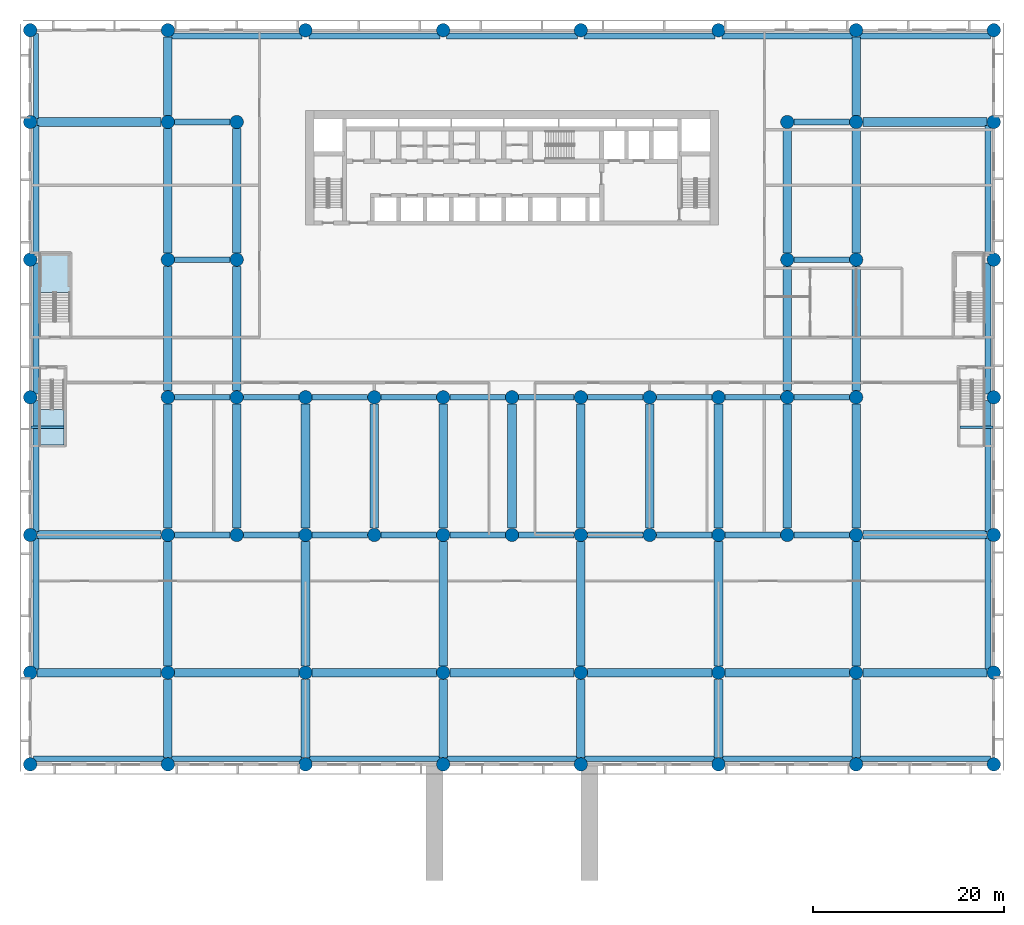
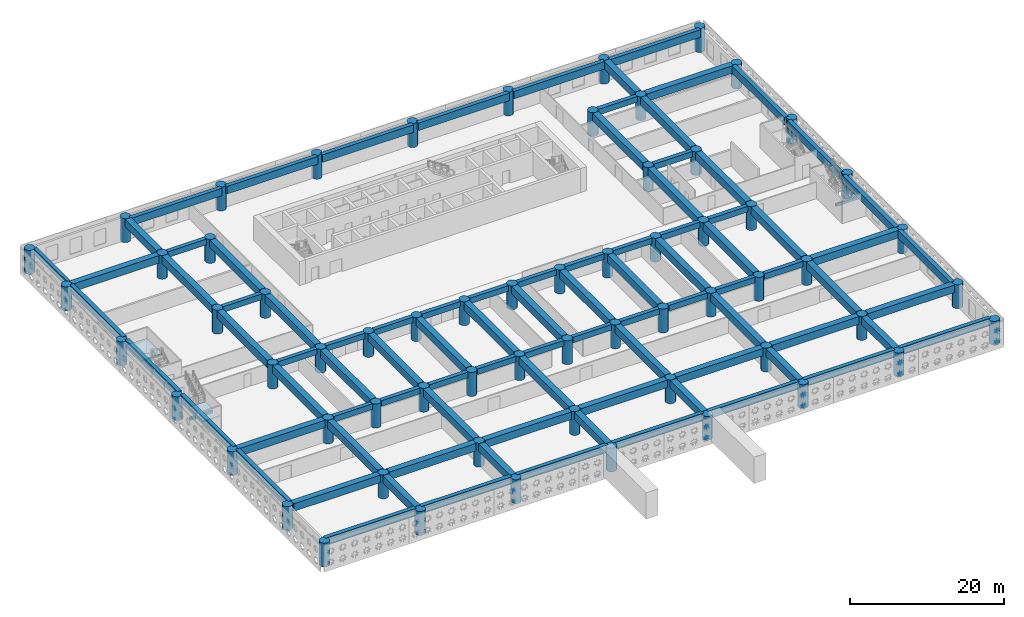
# One storey, part 1 of 23: 92 beams, 62 columns, 2 slabs, 2 elements without a shape of their own.
"""IFC4 building model written with IfcOpenShell, lengths in metres."""

from ifc_helpers import new_model, si_unit, direction, frame, origin, origin_2d, place, context, subcontext, project, spatial, polyline, rectangle, circle, outline, extrude, source, transform, mapped, material, layer, layer_set, material_profile, profile_set, type_object, element, aggregate, save


model = new_model("IFC4")

# Units and contexts
model_context = context("Model", 3, precision=1e-05, world=origin(), true_north=direction((0.0, 1.0)))
body_context = subcontext(model_context, "Body", "Model", "MODEL_VIEW")
ifc_project = project(units=[si_unit("LENGTHUNIT", "METRE"), si_unit("AREAUNIT", "SQUARE_METRE"), si_unit("VOLUMEUNIT", "CUBIC_METRE"), si_unit("PLANEANGLEUNIT", "RADIAN"), si_unit("MASSUNIT", "GRAM", prefix="KILO")], contexts=[model_context])

# Site, building, storey
site_placement = place(None, origin())
site = spatial("IfcSite", under=ifc_project, at=site_placement, CompositionType="ELEMENT")
building_placement = place(site_placement, origin())
building = spatial("IfcBuilding", under=site, at=building_placement, Name="Saffron Iwan Residences", CompositionType="ELEMENT")
storey_placement = place(building_placement, frame((0.0, 0.0, 17.39990234375)))
storey = spatial("IfcBuildingStorey", under=building, at=storey_placement, Name="L03", CompositionType="ELEMENT", Elevation=17.39990234375)

# Columns
ifc_material_1 = material(Name="Concrete C50/60", Category="concrete")
ifc_material_profile_1 = material_profile(ifc_material_1, circle(Radius=0.699951171875, at=origin_2d()), Name="RC D1400")
ifc_profile_set_1 = profile_set([ifc_material_profile_1], Name="Concrete C50/60")
column_type = type_object("IfcColumnType", Name="COL RC D1400 C50/60 3800 HIGH", PredefinedType="COLUMN", material=ifc_profile_set_1)
shared_shape_1 = source(origin(), body_context, "Body", "SweptSolid", [
    extrude(circle(Radius=0.699951171875, at=origin_2d()), origin(), (0.0, 0.0, 1.0), 3.800048828125),
])
for number, where, z_axis, x_axis, name in (
    (1, (0.0, 9.60009765625, 0.0), (0.0, 0.0, 1.0), (1.0, 0.0, 0.0), "Column C009"),
    (2, (14.39990234375, 9.60009765625, 0.0), (0.0, 0.0, 1.0), (1.0, 0.0, 0.0), "Column C010"),
    (3, (28.800048828125, 9.60009765625, 0.0), (0.0, 0.0, 1.0), (1.0, 0.0, 0.0), "Column C011"),
    (4, (43.199951171875, 9.60009765625, 0.0), (0.0, 0.0, 1.0), (1.0, 0.0, 0.0), "Column C012"),
    (5, (57.60009765625, 9.60009765625, 0.0), (0.0, 0.0, 1.0), (1.0, 0.0, 0.0), "Column C013"),
    (6, (72.0, 9.60009765625, 0.0), (0.0, 0.0, 1.0), (1.0, 0.0, 0.0), "Column C014"),
    (7, (86.39990234375, 9.60009765625, 0.0), (0.0, 0.0, 1.0), (1.0, 0.0, 0.0), "Column C015"),
    (8, (100.800048828125, 9.60009765625, 0.0), (0.0, 0.0, 1.0), (1.0, 0.0, 0.0), "Column C016"),
    (9, (0.0, 19.199951171875, 0.0), (0.0, 0.0, 1.0), (1.0, 0.0, 0.0), "Column C017"),
    (10, (14.39990234375, 19.199951171875, 0.0), (0.0, 0.0, 1.0), (1.0, 0.0, 0.0), "Column C018"),
    (11, (28.800048828125, 19.199951171875, 0.0), (0.0, 0.0, 1.0), (1.0, 0.0, 0.0), "Column C019"),
    (12, (43.199951171875, 19.199951171875, 0.0), (0.0, 0.0, 1.0), (1.0, 0.0, 0.0), "Column C020"),
    (13, (57.60009765625, 19.199951171875, 0.0), (0.0, 0.0, 1.0), (1.0, 0.0, 0.0), "Column C021"),
    (14, (72.0, 19.199951171875, 0.0), (0.0, 0.0, 1.0), (1.0, 0.0, 0.0), "Column C022"),
    (15, (86.39990234375, 19.199951171875, 0.0), (0.0, 0.0, 1.0), (1.0, 0.0, 0.0), "Column C023"),
    (16, (100.800048828125, 19.199951171875, 0.0), (0.0, 0.0, 1.0), (1.0, 0.0, 0.0), "Column C024"),
    (17, (0.0, 33.60009765625, 0.0), (0.0, 0.0, 1.0), (1.0, 0.0, 0.0), "Column C025"),
    (18, (14.39990234375, 33.60009765625, 0.0), (0.0, 0.0, 1.0), (1.0, 0.0, 0.0), "Column C026"),
    (19, (21.60009765625, 33.60009765625, 0.0), (0.0, 0.0, 1.0), (1.0, 0.0, 0.0), "Column C027"),
    (20, (28.800048828125, 33.60009765625, 0.0), (0.0, 0.0, 1.0), (1.0, 0.0, 0.0), "Column C028"),
    (21, (36.0, 33.60009765625, 0.0), (0.0, 0.0, 1.0), (1.0, 0.0, 0.0), "Column C029"),
    (22, (43.199951171875, 33.60009765625, 0.0), (0.0, 0.0, 1.0), (1.0, 0.0, 0.0), "Column C030"),
    (23, (50.39990234375, 33.60009765625, 0.0), (0.0, 0.0, 1.0), (1.0, 0.0, 0.0), "Column C031"),
    (24, (57.60009765625, 33.60009765625, 0.0), (0.0, 0.0, 1.0), (1.0, 0.0, 0.0), "Column C032"),
    (25, (64.800048828125, 33.60009765625, 0.0), (0.0, 0.0, 1.0), (1.0, 0.0, 0.0), "Column C033"),
    (26, (72.0, 33.60009765625, 0.0), (0.0, 0.0, 1.0), (1.0, 0.0, 0.0), "Column C034"),
    (27, (79.199951171875, 33.60009765625, 0.0), (0.0, 0.0, 1.0), (1.0, 0.0, 0.0), "Column C035"),
    (28, (86.39990234375, 33.60009765625, 0.0), (0.0, 0.0, 1.0), (1.0, 0.0, 0.0), "Column C036"),
    (29, (100.800048828125, 33.60009765625, 0.0), (0.0, 0.0, 1.0), (1.0, 0.0, 0.0), "Column C037"),
    (30, (0.0, 48.0, 0.0), (0.0, 0.0, 1.0), (1.0, 0.0, 0.0), "Column C059"),
    (31, (14.39990234375, 48.0, 0.0), (0.0, 0.0, 1.0), (1.0, 0.0, 0.0), "Column C060"),
    (32, (21.60009765625, 48.0, 0.0), (0.0, 0.0, 1.0), (1.0, 0.0, 0.0), "Column C063"),
    (33, (28.800048828125, 48.0, 0.0), (0.0, 0.0, 1.0), (1.0, 0.0, 0.0), "Column C064"),
    (34, (36.0, 48.0, 0.0), (0.0, 0.0, 1.0), (1.0, 0.0, 0.0), "Column C065"),
    (35, (43.199951171875, 48.0, 0.0), (0.0, 0.0, 1.0), (1.0, 0.0, 0.0), "Column C066"),
    (36, (50.39990234375, 48.0, 0.0), (0.0, 0.0, 1.0), (1.0, 0.0, 0.0), "Column C067"),
    (37, (57.60009765625, 48.0, 0.0), (0.0, 0.0, 1.0), (1.0, 0.0, 0.0), "Column C068"),
    (38, (64.800048828125, 48.0, 0.0), (0.0, 0.0, 1.0), (1.0, 0.0, 0.0), "Column C069"),
    (39, (72.0, 48.0, 0.0), (0.0, 0.0, 1.0), (1.0, 0.0, 0.0), "Column C071"),
    (40, (79.199951171875, 48.0, 0.0), (0.0, 0.0, 1.0), (1.0, 0.0, 0.0), "Column C072"),
    (41, (86.39990234375, 48.0, 0.0), (0.0, 0.0, 1.0), (1.0, 0.0, 0.0), "Column C075"),
    (42, (100.800048828125, 48.0, 0.0), (0.0, 0.0, 1.0), (1.0, 0.0, 0.0), "Column C076"),
    (43, (0.0, 62.39990234375, 0.0), (0.0, 0.0, 1.0), (1.0, 0.0, 0.0), "Column C087"),
    (44, (14.39990234375, 62.39990234375, 0.0), (0.0, 0.0, 1.0), (1.0, 0.0, 0.0), "Column C088"),
    (45, (21.60009765625, 62.39990234375, 0.0), (0.0, 0.0, 1.0), (1.0, 0.0, 0.0), "Column C091"),
    (46, (79.199951171875, 62.39990234375, 0.0), (0.0, 0.0, 1.0), (1.0, 0.0, 0.0), "Column C092"),
    (47, (86.39990234375, 62.39990234375, 0.0), (0.0, 0.0, 1.0), (1.0, 0.0, 0.0), "Column C095"),
    (48, (100.800048828125, 62.39990234375, 0.0), (0.0, 0.0, 1.0), (1.0, 0.0, 0.0), "Column C096"),
    (49, (0.0, 76.800048828125, 0.0), (0.0, 0.0, 1.0), (1.0, 0.0, 0.0), "Column C103"),
    (50, (14.39990234375, 76.800048828125, 0.0), (0.0, 0.0, 1.0), (1.0, 0.0, 0.0), "Column C104"),
    (51, (21.60009765625, 76.800048828125, 0.0), (0.0, 0.0, 1.0), (1.0, 0.0, 0.0), "Column C107"),
    (52, (79.199951171875, 76.800048828125, 0.0), (0.0, 0.0, 1.0), (1.0, 0.0, 0.0), "Column C108"),
    (53, (86.39990234375, 76.800048828125, 0.0), (0.0, 0.0, 1.0), (1.0, 0.0, 0.0), "Column C111"),
    (54, (100.800048828125, 76.800048828125, 0.0), (0.0, 0.0, 1.0), (1.0, 0.0, 0.0), "Column C112"),
    (55, (0.0, 86.39990234375, 0.0), (0.0, 0.0, 1.0), (1.0, 0.0, 0.0), "Column C124"),
    (56, (14.39990234375, 86.39990234375, 0.0), (0.0, 0.0, 1.0), (1.0, 0.0, 0.0), "Column C125"),
    (57, (28.800048828125, 86.39990234375, 0.0), (0.0, 0.0, 1.0), (1.0, 0.0, 0.0), "Column C126"),
    (58, (43.199951171875, 86.39990234375, 0.0), (0.0, 0.0, 1.0), (1.0, 0.0, 0.0), "Column C127"),
    (59, (57.60009765625, 86.39990234375, 0.0), (0.0, 0.0, 1.0), (1.0, 0.0, 0.0), "Column C128"),
    (60, (72.0, 86.39990234375, 0.0), (0.0, 0.0, 1.0), (1.0, 0.0, 0.0), "Column C129"),
    (61, (86.39990234375, 86.39990234375, 0.0), (0.0, 0.0, 1.0), (1.0, 0.0, 0.0), "Column C130"),
    (62, (100.800048828125, 86.39990234375, 0.0), (0.0, 0.0, 1.0), (1.0, 0.0, 0.0), "Column C131"),
):
    element("IfcColumn", number, at=place(storey_placement, frame(where, z_axis=z_axis, x_axis=x_axis)), inside=storey, type_object=column_type, Name=name, PredefinedType="COLUMN", context=body_context, shape_type="MappedRepresentation", body=[
        mapped(shared_shape_1, transform((0.0, 0.0, 0.0))),
    ])

# Beams
ifc_material_profile_2 = material_profile(ifc_material_1, rectangle(XDim=0.5, YDim=0.89990234375, at=origin_2d()), Name="RC 500x900")
ifc_profile_set_2 = profile_set([ifc_material_profile_2], Name="Concrete C50/60")
beam_type_1 = type_object("IfcBeamType", Name="SPANDREL BEAM RC 500x900 C50/60 TOP 3800", PredefinedType="SPANDREL", material=ifc_profile_set_2)
shared_shape_2 = source(origin(), body_context, "Body", "SweptSolid", [
    extrude(rectangle(XDim=0.5, YDim=0.89990234375, at=origin_2d()), origin(), (0.0, 0.0, 1.0), 8.889404296875),
])
beam_placement = place(storey_placement, frame((0.60009765625, 77.1552734375, 3.35009765625), z_axis=(0.0, 1.0, 0.0), x_axis=(-1.0, 0.0, 0.0)))
element("IfcBeam", 63, at=beam_placement, inside=storey, type_object=beam_type_1, Name="Spandrel beam", PredefinedType="SPANDREL", context=body_context, shape_type="MappedRepresentation", body=[
    mapped(shared_shape_2, transform((0.0, 0.0, 0.0))),
])
ifc_material_profile_3 = material_profile(ifc_material_1, rectangle(XDim=0.60009765625, YDim=1.199951171875, at=origin_2d()), Name="RC 600x1200")
ifc_profile_set_3 = profile_set([ifc_material_profile_3], Name="Concrete C50/60")
beam_type_2 = type_object("IfcBeamType", Name="LINTEL BEAM RC 600x1200 C50/60 TOP 3800", PredefinedType="LINTEL", material=ifc_profile_set_3)
shared_shape_3 = source(origin(), body_context, "Body", "SweptSolid", [
    extrude(rectangle(XDim=0.60009765625, YDim=1.199951171875, at=origin_2d()), origin(), (0.0, 0.0, 1.0), 13.689453125),
])
for number, where, z_axis, x_axis, name in (
    (64, (14.044677734375, 10.199951171875, 3.2001953125), (-1.0, 0.0, 0.0), (0.0, -1.0, 0.0), "Lintel beam over the iwan"),
    (65, (42.8447265625, 10.199951171875, 3.2001953125), (-1.0, 0.0, 0.0), (0.0, -1.0, 0.0), "Lintel beam over the iwan"),
    (66, (71.644775390625, 10.199951171875, 3.2001953125), (-1.0, 0.0, 0.0), (0.0, -1.0, 0.0), "Lintel beam over the iwan"),
    (67, (86.044677734375, 10.199951171875, 3.2001953125), (-1.0, 0.0, 0.0), (0.0, -1.0, 0.0), "Lintel beam over the iwan"),
    (68, (0.60009765625, 33.955322265625, 3.2001953125), (0.0, 1.0, 0.0), (-1.0, 0.0, 0.0), "Lintel beam over the iwan"),
    (69, (100.199951171875, 47.644775390625, 3.2001953125), (0.0, -1.0, 0.0), (1.0, 0.0, 0.0), "Lintel beam over the iwan"),
    (70, (0.60009765625, 48.355224609375, 3.2001953125), (0.0, 1.0, 0.0), (-1.0, 0.0, 0.0), "Lintel beam over the iwan"),
    (71, (100.199951171875, 62.044677734375, 3.2001953125), (0.0, -1.0, 0.0), (1.0, 0.0, 0.0), "Lintel beam over the iwan"),
    (72, (29.1552734375, 85.800048828125, 3.2001953125), (1.0, 0.0, 0.0), (0.0, 1.0, 0.0), "Lintel beam over the iwan"),
    (73, (57.955322265625, 85.800048828125, 3.2001953125), (1.0, 0.0, 0.0), (0.0, 1.0, 0.0), "Lintel beam over the iwan"),
    (74, (72.355224609375, 85.800048828125, 3.2001953125), (1.0, 0.0, 0.0), (0.0, 1.0, 0.0), "Lintel beam over the iwan"),
):
    element("IfcBeam", number, at=place(storey_placement, frame(where, z_axis=z_axis, x_axis=x_axis)), inside=storey, type_object=beam_type_2, Name=name, PredefinedType="LINTEL", context=body_context, shape_type="MappedRepresentation", body=[
        mapped(shared_shape_3, transform((0.0, 0.0, 0.0))),
    ])
shared_shape_4 = source(origin(), body_context, "Body", "SweptSolid", [
    extrude(rectangle(XDim=0.60009765625, YDim=1.199951171875, at=origin_2d()), origin(), (0.0, 0.0, 1.0), 13.689208984375),
])
for number, where, z_axis, x_axis, name in (
    (75, (28.444580078125, 10.199951171875, 3.2001953125), (-1.0, 0.0, 0.0), (0.0, -1.0, 0.0), "Lintel beam over the iwan"),
    (76, (57.24462890625, 10.199951171875, 3.2001953125), (-1.0, 0.0, 0.0), (0.0, -1.0, 0.0), "Lintel beam over the iwan"),
    (77, (100.444580078125, 10.199951171875, 3.2001953125), (-1.0, 0.0, 0.0), (0.0, -1.0, 0.0), "Lintel beam over the iwan"),
    (78, (0.60009765625, 19.555419921875, 3.2001953125), (0.0, 1.0, 0.0), (-1.0, 0.0, 0.0), "Lintel beam over the iwan"),
    (79, (100.199951171875, 33.24462890625, 3.2001953125), (0.0, -1.0, 0.0), (1.0, 0.0, 0.0), "Lintel beam over the iwan"),
    (80, (0.60009765625, 62.75537109375, 3.2001953125), (0.0, 1.0, 0.0), (-1.0, 0.0, 0.0), "Lintel beam over the iwan"),
    (81, (100.199951171875, 76.444580078125, 3.2001953125), (0.0, -1.0, 0.0), (1.0, 0.0, 0.0), "Lintel beam over the iwan"),
    (82, (14.75537109375, 85.800048828125, 3.2001953125), (1.0, 0.0, 0.0), (0.0, 1.0, 0.0), "Lintel beam over the iwan"),
    (83, (43.555419921875, 85.800048828125, 3.2001953125), (1.0, 0.0, 0.0), (0.0, 1.0, 0.0), "Lintel beam over the iwan"),
    (84, (86.75537109375, 85.800048828125, 3.2001953125), (1.0, 0.0, 0.0), (0.0, 1.0, 0.0), "Lintel beam over the iwan"),
):
    element("IfcBeam", number, at=place(storey_placement, frame(where, z_axis=z_axis, x_axis=x_axis)), inside=storey, type_object=beam_type_2, Name=name, PredefinedType="LINTEL", context=body_context, shape_type="MappedRepresentation", body=[
        mapped(shared_shape_4, transform((0.0, 0.0, 0.0))),
    ])
ifc_material_profile_4 = material_profile(ifc_material_1, rectangle(XDim=0.89990234375, YDim=1.199951171875, at=origin_2d()), Name="RC 900x1200")
ifc_profile_set_4 = profile_set([ifc_material_profile_4], Name="Concrete C50/60")
beam_type_3 = type_object("IfcBeamType", Name="BEAM RC 900x1200 C50/60 TOP 3800", PredefinedType="BEAM", material=ifc_profile_set_4)
shared_shape_5 = source(origin(), body_context, "Body", "SweptSolid", [
    extrude(rectangle(XDim=0.89990234375, YDim=1.199951171875, at=origin_2d()), origin(), (0.0, 0.0, 1.0), 8.199951171875),
])
for number, where, z_axis, x_axis, name in (
    (85, (14.39990234375, 10.300048828125, 3.2001953125), (0.0, 1.0, 0.0), (-1.0, 0.0, 0.0), "Floor beam"),
    (86, (28.800048828125, 10.300048828125, 3.2001953125), (0.0, 1.0, 0.0), (-1.0, 0.0, 0.0), "Floor beam"),
    (87, (43.199951171875, 10.300048828125, 3.2001953125), (0.0, 1.0, 0.0), (-1.0, 0.0, 0.0), "Floor beam"),
    (88, (57.60009765625, 10.300048828125, 3.2001953125), (0.0, 1.0, 0.0), (-1.0, 0.0, 0.0), "Floor beam"),
    (89, (72.0, 10.300048828125, 3.2001953125), (0.0, 1.0, 0.0), (-1.0, 0.0, 0.0), "Floor beam"),
    (90, (86.39990234375, 10.300048828125, 3.2001953125), (0.0, 1.0, 0.0), (-1.0, 0.0, 0.0), "Floor beam"),
    (91, (14.39990234375, 77.5, 3.2001953125), (0.0, 1.0, 0.0), (-1.0, 0.0, 0.0), "Floor beam"),
    (92, (86.39990234375, 77.5, 3.2001953125), (0.0, 1.0, 0.0), (-1.0, 0.0, 0.0), "Floor beam"),
):
    element("IfcBeam", number, at=place(storey_placement, frame(where, z_axis=z_axis, x_axis=x_axis)), inside=storey, type_object=beam_type_3, Name=name, PredefinedType="BEAM", context=body_context, shape_type="MappedRepresentation", body=[
        mapped(shared_shape_5, transform((0.0, 0.0, 0.0))),
    ])
shared_shape_6 = source(origin(), body_context, "Body", "SweptSolid", [
    extrude(rectangle(XDim=0.89990234375, YDim=1.199951171875, at=origin_2d()), origin(), (0.0, 0.0, 1.0), 13.0),
])
for number, where, z_axis, x_axis, name in (
    (93, (0.699951171875, 19.199951171875, 3.2001953125), (1.0, 0.0, 0.0), (0.0, 1.0, 0.0), "Floor beam"),
    (94, (15.10009765625, 19.199951171875, 3.2001953125), (1.0, 0.0, 0.0), (0.0, 1.0, 0.0), "Floor beam"),
    (95, (29.5, 19.199951171875, 3.2001953125), (1.0, 0.0, 0.0), (0.0, 1.0, 0.0), "Floor beam"),
    (96, (43.89990234375, 19.199951171875, 3.2001953125), (1.0, 0.0, 0.0), (0.0, 1.0, 0.0), "Floor beam"),
    (97, (58.300048828125, 19.199951171875, 3.2001953125), (1.0, 0.0, 0.0), (0.0, 1.0, 0.0), "Floor beam"),
    (98, (72.699951171875, 19.199951171875, 3.2001953125), (1.0, 0.0, 0.0), (0.0, 1.0, 0.0), "Floor beam"),
    (99, (87.10009765625, 19.199951171875, 3.2001953125), (1.0, 0.0, 0.0), (0.0, 1.0, 0.0), "Floor beam"),
    (100, (14.39990234375, 19.89990234375, 3.2001953125), (0.0, 1.0, 0.0), (-1.0, 0.0, 0.0), "Floor beam"),
    (101, (28.800048828125, 19.89990234375, 3.2001953125), (0.0, 1.0, 0.0), (-1.0, 0.0, 0.0), "Floor beam"),
    (102, (43.199951171875, 19.89990234375, 3.2001953125), (0.0, 1.0, 0.0), (-1.0, 0.0, 0.0), "Floor beam"),
    (103, (57.60009765625, 19.89990234375, 3.2001953125), (0.0, 1.0, 0.0), (-1.0, 0.0, 0.0), "Floor beam"),
    (104, (72.0, 19.89990234375, 3.2001953125), (0.0, 1.0, 0.0), (-1.0, 0.0, 0.0), "Floor beam"),
    (105, (86.39990234375, 19.89990234375, 3.2001953125), (0.0, 1.0, 0.0), (-1.0, 0.0, 0.0), "Floor beam"),
    (106, (0.699951171875, 33.60009765625, 3.2001953125), (1.0, 0.0, 0.0), (0.0, 1.0, 0.0), "Floor beam"),
    (107, (87.10009765625, 33.60009765625, 3.2001953125), (1.0, 0.0, 0.0), (0.0, 1.0, 0.0), "Floor beam"),
    (108, (14.39990234375, 34.300048828125, 3.2001953125), (0.0, 1.0, 0.0), (-1.0, 0.0, 0.0), "Floor beam"),
    (109, (21.60009765625, 34.300048828125, 3.2001953125), (0.0, 1.0, 0.0), (-1.0, 0.0, 0.0), "Floor beam"),
    (110, (28.800048828125, 34.300048828125, 3.2001953125), (0.0, 1.0, 0.0), (-1.0, 0.0, 0.0), "Floor beam"),
    (111, (36.0, 34.300048828125, 3.2001953125), (0.0, 1.0, 0.0), (-1.0, 0.0, 0.0), "Floor beam"),
    (112, (43.199951171875, 34.300048828125, 3.2001953125), (0.0, 1.0, 0.0), (-1.0, 0.0, 0.0), "Floor beam"),
    (113, (50.39990234375, 34.300048828125, 3.2001953125), (0.0, 1.0, 0.0), (-1.0, 0.0, 0.0), "Floor beam"),
    (114, (57.60009765625, 34.300048828125, 3.2001953125), (0.0, 1.0, 0.0), (-1.0, 0.0, 0.0), "Floor beam"),
    (115, (64.800048828125, 34.300048828125, 3.2001953125), (0.0, 1.0, 0.0), (-1.0, 0.0, 0.0), "Floor beam"),
    (116, (72.0, 34.300048828125, 3.2001953125), (0.0, 1.0, 0.0), (-1.0, 0.0, 0.0), "Floor beam"),
    (117, (79.199951171875, 34.300048828125, 3.2001953125), (0.0, 1.0, 0.0), (-1.0, 0.0, 0.0), "Floor beam"),
    (118, (86.39990234375, 34.300048828125, 3.2001953125), (0.0, 1.0, 0.0), (-1.0, 0.0, 0.0), "Floor beam"),
    (119, (14.39990234375, 48.699951171875, 3.2001953125), (0.0, 1.0, 0.0), (-1.0, 0.0, 0.0), "Floor beam"),
    (120, (21.60009765625, 48.699951171875, 3.2001953125), (0.0, 1.0, 0.0), (-1.0, 0.0, 0.0), "Floor beam"),
    (121, (79.199951171875, 48.699951171875, 3.2001953125), (0.0, 1.0, 0.0), (-1.0, 0.0, 0.0), "Floor beam"),
    (122, (86.39990234375, 48.699951171875, 3.2001953125), (0.0, 1.0, 0.0), (-1.0, 0.0, 0.0), "Floor beam"),
    (123, (14.39990234375, 63.10009765625, 3.2001953125), (0.0, 1.0, 0.0), (-1.0, 0.0, 0.0), "Floor beam"),
    (124, (21.60009765625, 63.10009765625, 3.2001953125), (0.0, 1.0, 0.0), (-1.0, 0.0, 0.0), "Floor beam"),
    (125, (79.199951171875, 63.10009765625, 3.2001953125), (0.0, 1.0, 0.0), (-1.0, 0.0, 0.0), "Floor beam"),
    (126, (86.39990234375, 63.10009765625, 3.2001953125), (0.0, 1.0, 0.0), (-1.0, 0.0, 0.0), "Floor beam"),
    (127, (0.699951171875, 76.800048828125, 3.2001953125), (1.0, 0.0, 0.0), (0.0, 1.0, 0.0), "Floor beam"),
    (128, (87.10009765625, 76.800048828125, 3.2001953125), (1.0, 0.0, 0.0), (0.0, 1.0, 0.0), "Floor beam"),
):
    element("IfcBeam", number, at=place(storey_placement, frame(where, z_axis=z_axis, x_axis=x_axis)), inside=storey, type_object=beam_type_3, Name=name, PredefinedType="BEAM", context=body_context, shape_type="MappedRepresentation", body=[
        mapped(shared_shape_6, transform((0.0, 0.0, 0.0))),
    ])
ifc_material_profile_5 = material_profile(ifc_material_1, rectangle(XDim=0.60009765625, YDim=0.89990234375, at=origin_2d()), Name="RC 600x900")
ifc_profile_set_5 = profile_set([ifc_material_profile_5], Name="Concrete C50/60")
beam_type_4 = type_object("IfcBeamType", Name="BEAM RC 600x900 C50/60 TOP 3800", PredefinedType="BEAM", material=ifc_profile_set_5)
shared_shape_7 = source(origin(), body_context, "Body", "SweptSolid", [
    extrude(rectangle(XDim=0.60009765625, YDim=0.89990234375, at=origin_2d()), origin(), (0.0, 0.0, 1.0), 5.7998046875),
])
for number, where, z_axis, x_axis, name in (
    (129, (15.10009765625, 33.60009765625, 3.35009765625), (1.0, 0.0, 0.0), (0.0, 1.0, 0.0), "Floor beam"),
    (130, (51.10009765625, 33.60009765625, 3.35009765625), (1.0, 0.0, 0.0), (0.0, 1.0, 0.0), "Floor beam"),
    (131, (15.10009765625, 48.0, 3.35009765625), (1.0, 0.0, 0.0), (0.0, 1.0, 0.0), "Floor beam"),
    (132, (51.10009765625, 48.0, 3.35009765625), (1.0, 0.0, 0.0), (0.0, 1.0, 0.0), "Floor beam"),
    (133, (15.10009765625, 62.39990234375, 3.35009765625), (1.0, 0.0, 0.0), (0.0, 1.0, 0.0), "Floor beam"),
    (134, (15.10009765625, 76.800048828125, 3.35009765625), (1.0, 0.0, 0.0), (0.0, 1.0, 0.0), "Floor beam"),
):
    element("IfcBeam", number, at=place(storey_placement, frame(where, z_axis=z_axis, x_axis=x_axis)), inside=storey, type_object=beam_type_4, Name=name, PredefinedType="BEAM", context=body_context, shape_type="MappedRepresentation", body=[
        mapped(shared_shape_7, transform((0.0, 0.0, 0.0))),
    ])
shared_shape_8 = source(origin(), body_context, "Body", "SweptSolid", [
    extrude(rectangle(XDim=0.60009765625, YDim=0.89990234375, at=origin_2d()), origin(), (0.0, 0.0, 1.0), 5.800048828125),
])
for number, where, z_axis, x_axis, name in (
    (135, (22.300048828125, 33.60009765625, 3.35009765625), (1.0, 0.0, 0.0), (0.0, 1.0, 0.0), "Floor beam"),
    (136, (29.5, 33.60009765625, 3.35009765625), (1.0, 0.0, 0.0), (0.0, 1.0, 0.0), "Floor beam"),
    (137, (36.699951171875, 33.60009765625, 3.35009765625), (1.0, 0.0, 0.0), (0.0, 1.0, 0.0), "Floor beam"),
    (138, (43.89990234375, 33.60009765625, 3.35009765625), (1.0, 0.0, 0.0), (0.0, 1.0, 0.0), "Floor beam"),
    (139, (58.300048828125, 33.60009765625, 3.35009765625), (1.0, 0.0, 0.0), (0.0, 1.0, 0.0), "Floor beam"),
    (140, (65.5, 33.60009765625, 3.35009765625), (1.0, 0.0, 0.0), (0.0, 1.0, 0.0), "Floor beam"),
    (141, (72.699951171875, 33.60009765625, 3.35009765625), (1.0, 0.0, 0.0), (0.0, 1.0, 0.0), "Floor beam"),
    (142, (79.89990234375, 33.60009765625, 3.35009765625), (1.0, 0.0, 0.0), (0.0, 1.0, 0.0), "Floor beam"),
    (143, (22.300048828125, 48.0, 3.35009765625), (1.0, 0.0, 0.0), (0.0, 1.0, 0.0), "Floor beam"),
    (144, (29.5, 48.0, 3.35009765625), (1.0, 0.0, 0.0), (0.0, 1.0, 0.0), "Floor beam"),
    (145, (36.699951171875, 48.0, 3.35009765625), (1.0, 0.0, 0.0), (0.0, 1.0, 0.0), "Floor beam"),
    (146, (43.89990234375, 48.0, 3.35009765625), (1.0, 0.0, 0.0), (0.0, 1.0, 0.0), "Floor beam"),
    (147, (58.300048828125, 48.0, 3.35009765625), (1.0, 0.0, 0.0), (0.0, 1.0, 0.0), "Floor beam"),
    (148, (65.5, 48.0, 3.35009765625), (1.0, 0.0, 0.0), (0.0, 1.0, 0.0), "Floor beam"),
    (149, (72.699951171875, 48.0, 3.35009765625), (1.0, 0.0, 0.0), (0.0, 1.0, 0.0), "Floor beam"),
    (150, (79.89990234375, 48.0, 3.35009765625), (1.0, 0.0, 0.0), (0.0, 1.0, 0.0), "Floor beam"),
    (151, (79.89990234375, 62.39990234375, 3.35009765625), (1.0, 0.0, 0.0), (0.0, 1.0, 0.0), "Floor beam"),
    (152, (79.89990234375, 76.800048828125, 3.35009765625), (1.0, 0.0, 0.0), (0.0, 1.0, 0.0), "Floor beam"),
):
    element("IfcBeam", number, at=place(storey_placement, frame(where, z_axis=z_axis, x_axis=x_axis)), inside=storey, type_object=beam_type_4, Name=name, PredefinedType="BEAM", context=body_context, shape_type="MappedRepresentation", body=[
        mapped(shared_shape_8, transform((0.0, 0.0, 0.0))),
    ])
ifc_material_2 = material(Name="Concrete C40/50", Category="concrete")
ifc_material_profile_6 = material_profile(ifc_material_2, rectangle(XDim=0.300048828125, YDim=0.39990234375, at=origin_2d()), Name="Landing beam RC 300x400 C40/50")
ifc_profile_set_6 = profile_set([ifc_material_profile_6], Name="Concrete C40/50")
beam_type_5 = type_object("IfcBeamType", Name="Landing beam RC 300x400 C40/50", PredefinedType="BEAM", material=ifc_profile_set_6)
shared_shape_9 = source(origin(), body_context, "Body", "SweptSolid", [
    extrude(rectangle(XDim=0.300048828125, YDim=0.39990234375, at=origin_2d()), origin(), (0.0, 0.0, 1.0), 3.449951171875),
])
for number, where, z_axis, x_axis, name in (
    (153, (0.10009765625, 44.860107421875, 1.7001953125), (1.0, 0.0, 0.0), (0.0, 1.0, 0.0), "PS1 landing beam"),
    (154, (97.25, 44.860107421875, 1.7001953125), (1.0, 0.0, 0.0), (0.0, 1.0, 0.0), "PS2 landing beam"),
):
    element("IfcBeam", number, at=place(storey_placement, frame(where, z_axis=z_axis, x_axis=x_axis)), inside=storey, type_object=beam_type_5, Name=name, PredefinedType="BEAM", context=body_context, shape_type="MappedRepresentation", body=[
        mapped(shared_shape_9, transform((0.0, 0.0, 0.0))),
    ])

# Stair, slab
stair_type = type_object("IfcStairType", Name="Podium stair, reinforced concrete", PredefinedType="HALF_TURN_STAIR", material=ifc_material_2)
stair_1_placement = place(storey_placement, origin())
stair_1 = element("IfcStair", 155, at=stair_1_placement, inside=storey, type_object=stair_type, Name="L03 Podium Stair 1", PredefinedType="HALF_TURN_STAIR")
ifc_layer = layer(ifc_material_2, 0.199951171875)
ifc_layer_set = layer_set([ifc_layer], Name="Concrete C40/50")
slab_type = type_object("IfcSlabType", Name="Podium stair landing, reinforced concrete", PredefinedType="LANDING", material=ifc_layer_set)
slab_1_placement = place(storey_placement, frame((0.0, 0.0, 1.89990234375)))
slab_1 = element("IfcSlab", 156, at=slab_1_placement, type_object=slab_type, Name="PS1 landing 1", PredefinedType="LANDING", context=body_context, shape_type="SweptSolid", body=[
    extrude(outline(polyline([(1.0, 46.719970703125), (1.0, 43.0), (3.550048828125, 43.0), (3.550048828125, 46.719970703125), (1.0, 46.719970703125)])), origin(), (0.0, 0.0, 1.0), 0.2001953125),
])
aggregate(stair_1, [slab_1])

stair_2_placement = place(storey_placement, origin())
stair_2 = element("IfcStair", 157, at=stair_2_placement, inside=storey, type_object=stair_type, Name="L03 Podium Stair 3", PredefinedType="HALF_TURN_STAIR")
slab_2_placement = place(storey_placement, frame((0.0, 0.0, 1.89990234375)))
slab_2 = element("IfcSlab", 158, at=slab_2_placement, type_object=slab_type, Name="PS3 landing 1", PredefinedType="LANDING", context=body_context, shape_type="SweptSolid", body=[
    extrude(outline(polyline([(4.14990234375, 58.97998046875), (4.14990234375, 63.0), (1.0, 63.0), (1.0, 58.97998046875), (4.14990234375, 58.97998046875)])), origin(), (0.0, 0.0, 1.0), 0.2001953125),
])
aggregate(stair_2, [slab_2])

save(model, "model.ifc")
